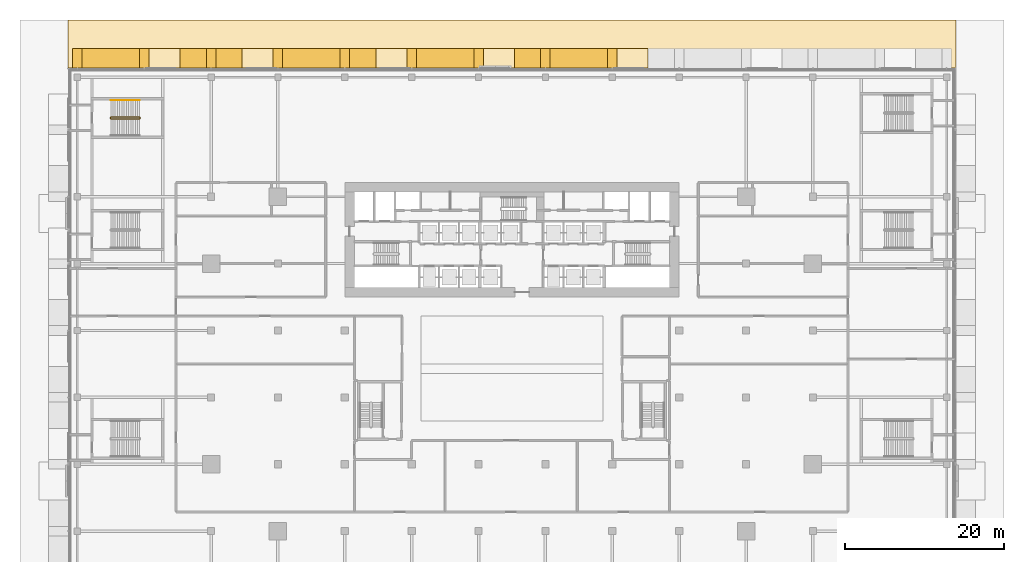
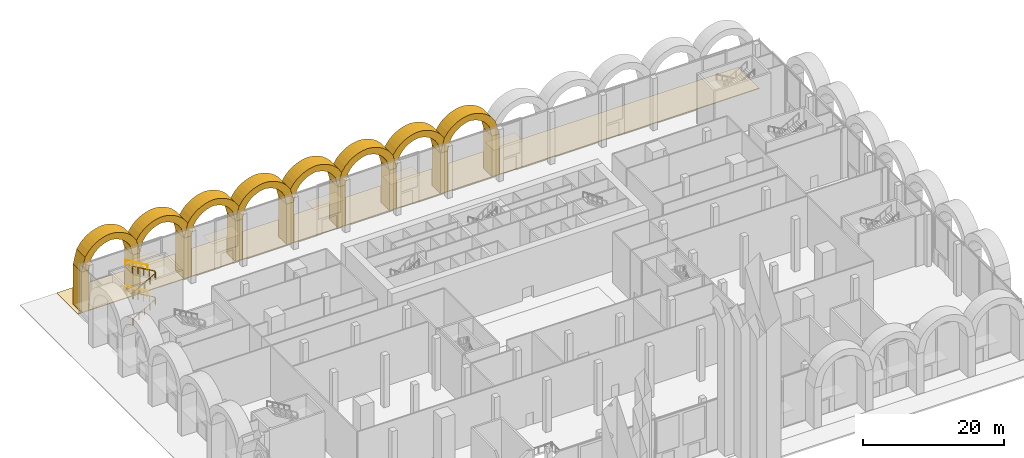
# One storey, part 41 of 43: 23 coverings, 3 railings.
"""IFC4 building model written with IfcOpenShell, lengths in metres."""

from ifc_helpers import new_model, si_unit, direction, frame, origin, origin_2d, place, context, subcontext, project, spatial, polyline, circle, outline, extrude, material, layer, layer_set, type_object, element, save


model = new_model("IFC4")

# Units and contexts
model_context = context("Model", 3, precision=1e-05, world=origin(), true_north=direction((0.0, 1.0)))
body_context = subcontext(model_context, "Body", "Model", "MODEL_VIEW")
ifc_project = project(units=[si_unit("LENGTHUNIT", "METRE"), si_unit("AREAUNIT", "SQUARE_METRE"), si_unit("VOLUMEUNIT", "CUBIC_METRE"), si_unit("PLANEANGLEUNIT", "RADIAN"), si_unit("MASSUNIT", "GRAM", prefix="KILO")], contexts=[model_context])

# Site, building, storey
site_placement = place(None, origin())
site = spatial("IfcSite", under=ifc_project, at=site_placement, CompositionType="ELEMENT")
building_placement = place(site_placement, origin())
building = spatial("IfcBuilding", under=site, at=building_placement, Name="Saffron Gate Tower", CompositionType="ELEMENT")
storey_placement = place(building_placement, origin())
storey = spatial("IfcBuildingStorey", under=building, at=storey_placement, Name="L00", CompositionType="ELEMENT", Elevation=0.0)

# Coverings
ifc_material_1 = material(Name="Cast stone cladding, pale limestone", Category="masonry")
ifc_layer_1 = layer(ifc_material_1, 1.199951171875)
ifc_layer_set_1 = layer_set([ifc_layer_1], Name="AR1 arcade pier")
covering_type_1 = type_object("IfcCoveringType", Name="AR1 arcade pier", PredefinedType="CLADDING", material=ifc_layer_set_1)
covering_1_placement = place(storey_placement, origin())
element("IfcCovering", 1, at=covering_1_placement, inside=storey, type_object=covering_type_1, Name="ARCADE PIER", PredefinedType="CLADDING", context=body_context, shape_type="SweptSolid", body=[
    extrude(outline(polyline([(100.800048828125, 90.0), (99.60009765625, 90.0), (99.60009765625, 92.39990234375), (100.800048828125, 92.39990234375), (100.800048828125, 90.0)])), origin(), (0.0, 0.0, 1.0), 7.0),
])
covering_2_placement = place(storey_placement, origin())
element("IfcCovering", 2, at=covering_2_placement, inside=storey, type_object=covering_type_1, Name="ARCADE PIER", PredefinedType="CLADDING", context=body_context, shape_type="SweptSolid", body=[
    extrude(outline(polyline([(92.39990234375, 90.0), (91.199951171875, 90.0), (91.199951171875, 92.39990234375), (92.39990234375, 92.39990234375), (92.39990234375, 90.0)])), origin(), (0.0, 0.0, 1.0), 7.0),
])
covering_3_placement = place(storey_placement, origin())
element("IfcCovering", 3, at=covering_3_placement, inside=storey, type_object=covering_type_1, Name="ARCADE PIER", PredefinedType="CLADDING", context=body_context, shape_type="SweptSolid", body=[
    extrude(outline(polyline([(84.0, 90.0), (82.800048828125, 90.0), (82.800048828125, 92.39990234375), (84.0, 92.39990234375), (84.0, 90.0)])), origin(), (0.0, 0.0, 1.0), 7.0),
])
covering_4_placement = place(storey_placement, origin())
element("IfcCovering", 4, at=covering_4_placement, inside=storey, type_object=covering_type_1, Name="ARCADE PIER", PredefinedType="CLADDING", context=body_context, shape_type="SweptSolid", body=[
    extrude(outline(polyline([(75.60009765625, 90.0), (74.39990234375, 90.0), (74.39990234375, 92.39990234375), (75.60009765625, 92.39990234375), (75.60009765625, 90.0)])), origin(), (0.0, 0.0, 1.0), 7.0),
])
covering_5_placement = place(storey_placement, origin())
element("IfcCovering", 5, at=covering_5_placement, inside=storey, type_object=covering_type_1, Name="ARCADE PIER", PredefinedType="CLADDING", context=body_context, shape_type="SweptSolid", body=[
    extrude(outline(polyline([(67.199951171875, 90.0), (66.0, 90.0), (66.0, 92.39990234375), (67.199951171875, 92.39990234375), (67.199951171875, 90.0)])), origin(), (0.0, 0.0, 1.0), 7.0),
])
covering_6_placement = place(storey_placement, origin())
element("IfcCovering", 6, at=covering_6_placement, inside=storey, type_object=covering_type_1, Name="ARCADE PIER", PredefinedType="CLADDING", context=body_context, shape_type="SweptSolid", body=[
    extrude(outline(polyline([(58.800048828125, 90.0), (57.60009765625, 90.0), (57.60009765625, 92.39990234375), (58.800048828125, 92.39990234375), (58.800048828125, 90.0)])), origin(), (0.0, 0.0, 1.0), 7.0),
])
covering_7_placement = place(storey_placement, origin())
element("IfcCovering", 7, at=covering_7_placement, inside=storey, type_object=covering_type_1, Name="ARCADE PIER", PredefinedType="CLADDING", context=body_context, shape_type="SweptSolid", body=[
    extrude(outline(polyline([(50.39990234375, 90.0), (49.199951171875, 90.0), (49.199951171875, 92.39990234375), (50.39990234375, 92.39990234375), (50.39990234375, 90.0)])), origin(), (0.0, 0.0, 1.0), 7.0),
])
covering_8_placement = place(storey_placement, origin())
element("IfcCovering", 8, at=covering_8_placement, inside=storey, type_object=covering_type_1, Name="ARCADE PIER", PredefinedType="CLADDING", context=body_context, shape_type="SweptSolid", body=[
    extrude(outline(polyline([(42.0, 90.0), (40.800048828125, 90.0), (40.800048828125, 92.39990234375), (42.0, 92.39990234375), (42.0, 90.0)])), origin(), (0.0, 0.0, 1.0), 7.0),
])
covering_9_placement = place(storey_placement, origin())
element("IfcCovering", 9, at=covering_9_placement, inside=storey, type_object=covering_type_1, Name="ARCADE PIER", PredefinedType="CLADDING", context=body_context, shape_type="SweptSolid", body=[
    extrude(outline(polyline([(33.60009765625, 90.0), (32.39990234375, 90.0), (32.39990234375, 92.39990234375), (33.60009765625, 92.39990234375), (33.60009765625, 90.0)])), origin(), (0.0, 0.0, 1.0), 7.0),
])
ifc_layer_2 = layer(ifc_material_1, 2.39990234375)
ifc_layer_set_2 = layer_set([ifc_layer_2], Name="AR2 arcade arch")
covering_type_2 = type_object("IfcCoveringType", Name="AR2 arcade arch", PredefinedType="CLADDING", material=ifc_layer_set_2)
covering_10_placement = place(storey_placement, frame((99.60009765625, 92.39990234375, 7.0), z_axis=(0.0, 1.0, 0.0), x_axis=(-0.239237346473, 0.0, 0.970961117683)))
element("IfcCovering", 10, at=covering_10_placement, inside=storey, type_object=covering_type_2, Name="ARCADE ARCH", PredefinedType="CLADDING", context=body_context, shape_type="SweptSolid", body=[
    extrude(outline(polyline([(0.0, 0.0), (1.8817936210051474, 0.0), (2.6470183695411396, -0.2748625343682679), (3.203401139395791, -0.6011821249482396), (3.6395990248106704, -0.9571143460609401), (3.990458530741687, -1.3340732870785366), (4.273105740640905, -1.7280906550741717), (4.496905881562616, -2.1363560457279465), (4.6673695353069125, -2.5577631363222815), (4.712196130366634, -3.010126231221047), (4.703686238248943, -3.4756310260603724), (4.636446092264326, -3.9558579456660814), (4.500876835137328, -4.452669190141585), (4.279969198526468, -4.970507154521985), (3.9388766774758355, -5.517957749435114), (3.388942177743862, -6.116865400559946), (1.7225556206533161, -6.9911096881612895), (2.0096287549104384, -8.156215619170132), (4.1730438427179735, -7.00512180004296), (4.879364508393852, -6.2132962743460105), (5.31112164584135, -5.488869646622356), (5.58452867913546, -4.80345926583334), (5.743972562952254, -4.1463799701936), (5.812093383376849, -3.5115505322869174), (5.800623457171799, -2.896583084012261), (5.716083398741931, -2.2993681117132256), (5.513491915359386, -1.7312401019492978), (5.237947114862605, -1.1813386702692357), (4.882694752625596, -0.6508251261129545), (4.436236142106971, -0.14303554179797584), (3.875697567000447, 0.3368970594759718), (3.1568088877405365, 0.7778134138152791), (2.163473495362826, 1.150856768073049), (-0.2870731342571223, 1.165105931008841), (0.0, 0.0)])), origin(), (0.0, 0.0, -1.0), 2.39990234375),
])
covering_11_placement = place(storey_placement, frame((91.199951171875, 92.39990234375, 7.0), z_axis=(0.0, 1.0, 0.0), x_axis=(-0.239115028028, 0.0, 0.970991247835)))
element("IfcCovering", 11, at=covering_11_placement, inside=storey, type_object=covering_type_2, Name="ARCADE ARCH", PredefinedType="CLADDING", context=body_context, shape_type="SweptSolid", body=[
    extrude(outline(polyline([(0.0, 0.0), (1.881735228381075, 0.0), (2.646925345116447, -0.2749589311548678), (3.203267002539746, -0.6013486093049456), (3.6394784237266933, -0.9575728359066504), (3.990290439579541, -1.334575973358484), (4.272829633319021, -1.7283918862185135), (4.4965783413497675, -2.136685466791156), (4.666988907104446, -2.558114028151451), (4.7118168931901065, -3.0107198248883336), (4.70324835930731, -3.4762235440027536), (4.63588933971578, -3.956204930829786), (4.500257498010882, -4.452999093065014), (4.279284628664273, -4.970809224560487), (3.9381815230813135, -5.518453904507588), (3.3881715804938914, -6.117292273039781), (1.721616526260766, -6.991089572726843), (2.0085428843554953, -8.156231658446298), (4.17216134140188, -7.005647442456348), (4.878523373773681, -6.213673843174959), (5.310371767231315, -5.489301611680691), (5.5839235204239435, -4.804162737112771), (5.743391800658454, -4.146866474174116), (5.8116509706907475, -3.512282681215563), (5.800200137231722, -2.897076734489788), (5.715735313457013, -2.29985111702), (5.513273779136993, -1.7319346487703329), (5.237739876808899, -1.1817614513665375), (4.882612726374266, -0.6514402170157529), (4.436159710352636, -0.14335733582483634), (3.8756815990652784, 0.3366458753266979), (3.1569068475129147, 0.7774157295518843), (2.1635600793539953, 1.1508212744000663), (-0.2869263580947294, 1.1651420857194545), (0.0, 0.0)])), origin(), (0.0, 0.0, -1.0), 2.39990234375),
])
covering_12_placement = place(storey_placement, frame((82.800048828125, 92.39990234375, 7.0), z_axis=(0.0, 1.0, 0.0), x_axis=(-0.239115028028, 0.0, 0.970991247835)))
element("IfcCovering", 12, at=covering_12_placement, inside=storey, type_object=covering_type_2, Name="ARCADE ARCH", PredefinedType="CLADDING", context=body_context, shape_type="SweptSolid", body=[
    extrude(outline(polyline([(0.0, 0.0), (1.881735228381075, 0.0), (2.6469837228088364, -0.2751959895649837), (3.203325380232136, -0.6015856677150615), (3.6394784237266933, -0.9575728359066504), (3.990290439579541, -1.334575973358484), (4.272829633319021, -1.7283918862185135), (4.496636719042157, -2.1369225252012716), (4.667047284796835, -2.5583510865615673), (4.7118168931901065, -3.0107198248883336), (4.70324835930731, -3.4762235440027536), (4.63588933971578, -3.956204930829786), (4.50031587570327, -4.45323615147513), (4.2793430063566635, -4.971046282970603), (3.9381815230813135, -5.518453904507588), (3.3881715804938914, -6.117292273039781), (1.721616526260766, -6.991089572726843), (2.008601262047885, -8.156468716856415), (4.17216134140188, -7.005647442456348), (4.878523373773681, -6.213673843174959), (5.310430144923704, -5.489538670090807), (5.5839235204239435, -4.804162737112771), (5.743450178350844, -4.147103532584232), (5.8116509706907475, -3.512282681215563), (5.800200137231722, -2.897076734489788), (5.715793691149402, -2.300088175430116), (5.513273779136993, -1.7319346487703329), (5.237798254501289, -1.1819985097766537), (4.882612726374266, -0.6514402170157529), (4.436159710352636, -0.14335733582483634), (3.875739976757668, 0.336408816916582), (3.1569068475129147, 0.7774157295518843), (2.163618457046385, 1.1505842159899504), (-0.2869263580947294, 1.1651420857194545), (0.0, 0.0)])), origin(), (0.0, 0.0, -1.0), 2.39990234375),
])
covering_13_placement = place(storey_placement, frame((74.39990234375, 92.39990234375, 7.0), z_axis=(0.0, 1.0, 0.0), x_axis=(-0.239115028028, 0.0, 0.970991247835)))
element("IfcCovering", 13, at=covering_13_placement, inside=storey, type_object=covering_type_2, Name="ARCADE ARCH", PredefinedType="CLADDING", context=body_context, shape_type="SweptSolid", body=[
    extrude(outline(polyline([(0.0, 0.0), (1.881735228381075, 0.0), (2.646925345116447, -0.2749589311548678), (3.203267002539746, -0.6013486093049456), (3.639420046034304, -0.9573357774965345), (3.990290439579541, -1.334575973358484), (4.272829633319021, -1.7283918862185135), (4.4965783413497675, -2.136685466791156), (4.666988907104446, -2.558114028151451), (4.711758515497717, -3.010482766478218), (4.70324835930731, -3.4762235440027536), (4.63588933971578, -3.956204930829786), (4.500257498010882, -4.452999093065014), (4.279284628664273, -4.970809224560487), (3.938123145388924, -5.518216846097472), (3.3881715804938914, -6.117292273039781), (1.721616526260766, -6.991089572726843), (2.0085428843554953, -8.156231658446298), (4.172102963709491, -7.005410384046232), (4.878523373773681, -6.213673843174959), (5.310371767231315, -5.489301611680691), (5.5839235204239435, -4.804162737112771), (5.743391800658454, -4.146866474174116), (5.811592592998358, -3.512045622805447), (5.800200137231722, -2.897076734489788), (5.715735313457013, -2.29985111702), (5.513273779136993, -1.7319346487703329), (5.237739876808899, -1.1817614513665375), (4.882554348681876, -0.651203158605637), (4.436159710352636, -0.14335733582483634), (3.8756815990652784, 0.3366458753266979), (3.1569068475129147, 0.7774157295518843), (2.1635600793539953, 1.1508212744000663), (-0.28698473578711897, 1.1653791441295704), (0.0, 0.0)])), origin(), (0.0, 0.0, -1.0), 2.39990234375),
])
covering_14_placement = place(storey_placement, frame((66.0, 92.39990234375, 7.0), z_axis=(0.0, 1.0, 0.0), x_axis=(-0.239115028028, 0.0, 0.970991247835)))
element("IfcCovering", 14, at=covering_14_placement, inside=storey, type_object=covering_type_2, Name="ARCADE ARCH", PredefinedType="CLADDING", context=body_context, shape_type="SweptSolid", body=[
    extrude(outline(polyline([(0.0, 0.0), (1.881735228381075, 0.0), (2.646925345116447, -0.2749589311548678), (3.203325380232136, -0.6015856677150615), (3.6394784237266933, -0.9575728359066504), (3.990290439579541, -1.334575973358484), (4.272829633319021, -1.7283918862185135), (4.4965783413497675, -2.136685466791156), (4.667047284796835, -2.5583510865615673), (4.7118168931901065, -3.0107198248883336), (4.70324835930731, -3.4762235440027536), (4.63588933971578, -3.956204930829786), (4.500257498010882, -4.452999093065014), (4.2793430063566635, -4.971046282970603), (3.9381815230813135, -5.518453904507588), (3.3881715804938914, -6.117292273039781), (1.721616526260766, -6.991089572726843), (2.0085428843554953, -8.156231658446298), (4.17216134140188, -7.005647442456348), (4.878523373773681, -6.213673843174959), (5.310430144923704, -5.489538670090807), (5.5839235204239435, -4.804162737112771), (5.743391800658454, -4.146866474174116), (5.8116509706907475, -3.512282681215563), (5.800200137231722, -2.897076734489788), (5.715793691149402, -2.300088175430116), (5.513273779136993, -1.7319346487703329), (5.237739876808899, -1.1817614513665375), (4.882612726374266, -0.6514402170157529), (4.436159710352636, -0.14335733582483634), (3.875739976757668, 0.336408816916582), (3.1569068475129147, 0.7774157295518843), (2.1635600793539953, 1.1508212744000663), (-0.2869263580947294, 1.1651420857194545), (0.0, 0.0)])), origin(), (0.0, 0.0, -1.0), 2.39990234375),
])
covering_15_placement = place(storey_placement, frame((57.60009765625, 92.39990234375, 7.0), z_axis=(0.0, 1.0, 0.0), x_axis=(-0.239237346473, 0.0, 0.970961117683)))
element("IfcCovering", 15, at=covering_15_placement, inside=storey, type_object=covering_type_2, Name="ARCADE ARCH", PredefinedType="CLADDING", context=body_context, shape_type="SweptSolid", body=[
    extrude(outline(polyline([(0.0, 0.0), (1.8817936210051474, 0.0), (2.6470183695411396, -0.2748625343682679), (3.203401139395791, -0.6011821249482396), (3.6395990248106704, -0.9571143460609401), (3.990458530741687, -1.3340732870785366), (4.273105740640905, -1.7280906550741717), (4.496905881562616, -2.1363560457279465), (4.6673695353069125, -2.5577631363222815), (4.712196130366634, -3.010126231221047), (4.703686238248943, -3.4756310260603724), (4.636446092264326, -3.9558579456660814), (4.500876835137328, -4.452669190141585), (4.279969198526468, -4.970507154521985), (3.9388766774758355, -5.517957749435114), (3.388942177743862, -6.116865400559946), (1.7225556206533161, -6.9911096881612895), (2.0096287549104384, -8.156215619170132), (4.1730438427179735, -7.00512180004296), (4.879364508393852, -6.2132962743460105), (5.31112164584135, -5.488869646622356), (5.58452867913546, -4.80345926583334), (5.743972562952254, -4.1463799701936), (5.812093383376849, -3.5115505322869174), (5.800623457171799, -2.896583084012261), (5.716083398741931, -2.2993681117132256), (5.513491915359386, -1.7312401019492978), (5.237947114862605, -1.1813386702692357), (4.882694752625596, -0.6508251261129545), (4.436236142106971, -0.14303554179797584), (3.875697567000447, 0.3368970594759718), (3.1568088877405365, 0.7778134138152791), (2.163473495362826, 1.150856768073049), (-0.2870731342571223, 1.165105931008841), (0.0, 0.0)])), origin(), (0.0, 0.0, -1.0), 2.39990234375),
])
covering_16_placement = place(storey_placement, frame((49.199951171875, 92.39990234375, 7.0), z_axis=(0.0, 1.0, 0.0), x_axis=(-0.239115028028, 0.0, 0.970991247835)))
element("IfcCovering", 16, at=covering_16_placement, inside=storey, type_object=covering_type_2, Name="ARCADE ARCH", PredefinedType="CLADDING", context=body_context, shape_type="SweptSolid", body=[
    extrude(outline(polyline([(0.0, 0.0), (1.881735228381075, 0.0), (2.646925345116447, -0.2749589311548678), (3.203267002539746, -0.6013486093049456), (3.6394784237266933, -0.9575728359066504), (3.990290439579541, -1.334575973358484), (4.272829633319021, -1.7283918862185135), (4.4965783413497675, -2.136685466791156), (4.666988907104446, -2.558114028151451), (4.7118168931901065, -3.0107198248883336), (4.70324835930731, -3.4762235440027536), (4.63588933971578, -3.956204930829786), (4.500257498010882, -4.452999093065014), (4.279284628664273, -4.970809224560487), (3.9381815230813135, -5.518453904507588), (3.3881715804938914, -6.117292273039781), (1.721616526260766, -6.991089572726843), (2.0085428843554953, -8.156231658446298), (4.17216134140188, -7.005647442456348), (4.878523373773681, -6.213673843174959), (5.310371767231315, -5.489301611680691), (5.5839235204239435, -4.804162737112771), (5.743391800658454, -4.146866474174116), (5.8116509706907475, -3.512282681215563), (5.800200137231722, -2.897076734489788), (5.715735313457013, -2.29985111702), (5.513273779136993, -1.7319346487703329), (5.237739876808899, -1.1817614513665375), (4.882612726374266, -0.6514402170157529), (4.436159710352636, -0.14335733582483634), (3.8756815990652784, 0.3366458753266979), (3.1569068475129147, 0.7774157295518843), (2.1635600793539953, 1.1508212744000663), (-0.2869263580947294, 1.1651420857194545), (0.0, 0.0)])), origin(), (0.0, 0.0, -1.0), 2.39990234375),
])
covering_17_placement = place(storey_placement, frame((40.800048828125, 92.39990234375, 7.0), z_axis=(0.0, 1.0, 0.0), x_axis=(-0.239115028028, 0.0, 0.970991247835)))
element("IfcCovering", 17, at=covering_17_placement, inside=storey, type_object=covering_type_2, Name="ARCADE ARCH", PredefinedType="CLADDING", context=body_context, shape_type="SweptSolid", body=[
    extrude(outline(polyline([(0.0, 0.0), (1.881735228381075, 0.0), (2.6469837228088364, -0.2751959895649837), (3.203325380232136, -0.6015856677150615), (3.6394784237266933, -0.9575728359066504), (3.990290439579541, -1.334575973358484), (4.272829633319021, -1.7283918862185135), (4.496636719042157, -2.1369225252012716), (4.667047284796835, -2.5583510865615673), (4.7118168931901065, -3.0107198248883336), (4.70324835930731, -3.4762235440027536), (4.63588933971578, -3.956204930829786), (4.50031587570327, -4.45323615147513), (4.2793430063566635, -4.971046282970603), (3.9381815230813135, -5.518453904507588), (3.3881715804938914, -6.117292273039781), (1.721616526260766, -6.991089572726843), (2.008601262047885, -8.156468716856415), (4.17216134140188, -7.005647442456348), (4.878523373773681, -6.213673843174959), (5.310430144923704, -5.489538670090807), (5.5839235204239435, -4.804162737112771), (5.743450178350844, -4.147103532584232), (5.8116509706907475, -3.512282681215563), (5.800200137231722, -2.897076734489788), (5.715793691149402, -2.300088175430116), (5.513273779136993, -1.7319346487703329), (5.237798254501289, -1.1819985097766537), (4.882612726374266, -0.6514402170157529), (4.436159710352636, -0.14335733582483634), (3.875739976757668, 0.336408816916582), (3.1569068475129147, 0.7774157295518843), (2.163618457046385, 1.1505842159899504), (-0.2869263580947294, 1.1651420857194545), (0.0, 0.0)])), origin(), (0.0, 0.0, -1.0), 2.39990234375),
])
ifc_material_2 = material(Name="Bronze-anodised aluminium soffit panels", Category="aluminium")
ifc_layer_3 = layer(ifc_material_2, 0.030029296875)
ifc_layer_set_3 = layer_set([ifc_layer_3], Name="CE1 canopy soffit lining")
covering_type_3 = type_object("IfcCoveringType", Name="CE1 canopy soffit lining", PredefinedType="CEILING", material=ifc_layer_set_3)
covering_18_placement = place(storey_placement, frame((0.0, 0.0, 4.3701171875)))
element("IfcCovering", 18, at=covering_18_placement, inside=storey, type_object=covering_type_3, Name="ENTRANCE CANOPY soffit lining", PredefinedType="CEILING", context=body_context, shape_type="SweptSolid", body=[
    extrude(outline(polyline([(87.89990234375, 90.0), (83.10009765625, 90.0), (83.10009765625, 92.39990234375), (87.89990234375, 92.39990234375), (87.89990234375, 90.0)])), origin(), (0.0, 0.0, 1.0), 0.02978515625),
])
covering_19_placement = place(storey_placement, frame((0.0, 0.0, 4.3701171875)))
element("IfcCovering", 19, at=covering_19_placement, inside=storey, type_object=covering_type_3, Name="ENTRANCE CANOPY soffit lining", PredefinedType="CEILING", context=body_context, shape_type="SweptSolid", body=[
    extrude(outline(polyline([(58.5, 90.0), (53.699951171875, 90.0), (53.699951171875, 92.39990234375), (58.5, 92.39990234375), (58.5, 90.0)])), origin(), (0.0, 0.0, 1.0), 0.02978515625),
])
covering_20_placement = place(storey_placement, frame((0.0, 0.0, 4.3701171875)))
element("IfcCovering", 20, at=covering_20_placement, inside=storey, type_object=covering_type_3, Name="ENTRANCE CANOPY soffit lining", PredefinedType="CEILING", context=body_context, shape_type="SweptSolid", body=[
    extrude(outline(polyline([(75.300048828125, 90.0), (70.5, 90.0), (70.5, 92.39990234375), (75.300048828125, 92.39990234375), (75.300048828125, 90.0)])), origin(), (0.0, 0.0, 1.0), 0.02978515625),
])
covering_21_placement = place(storey_placement, frame((0.0, 0.0, 4.3701171875)))
element("IfcCovering", 21, at=covering_21_placement, inside=storey, type_object=covering_type_3, Name="ENTRANCE CANOPY soffit lining", PredefinedType="CEILING", context=body_context, shape_type="SweptSolid", body=[
    extrude(outline(polyline([(104.699951171875, 90.0), (99.89990234375, 90.0), (99.89990234375, 92.39990234375), (104.699951171875, 92.39990234375), (104.699951171875, 90.0)])), origin(), (0.0, 0.0, 1.0), 0.02978515625),
])
covering_22_placement = place(storey_placement, frame((0.0, 0.0, 4.3701171875)))
element("IfcCovering", 22, at=covering_22_placement, inside=storey, type_object=covering_type_3, Name="ENTRANCE CANOPY soffit lining", PredefinedType="CEILING", context=body_context, shape_type="SweptSolid", body=[
    extrude(outline(polyline([(45.89990234375, 90.0), (41.10009765625, 90.0), (41.10009765625, 92.39990234375), (45.89990234375, 92.39990234375), (45.89990234375, 90.0)])), origin(), (0.0, 0.0, 1.0), 0.02978515625),
])

# Railings
ifc_material_3 = material(Name="Stainless steel and laminated glass", Category="steel")
railing_type_1 = type_object("IfcRailingType", Name="CR1 Stair guard 1100", PredefinedType="GUARDRAIL", material=ifc_material_3)
railing_placement = place(storey_placement, frame((37.14990234375, 83.77490234375, 0.0)))
element("IfcRailing", 23, at=railing_placement, inside=storey, type_object=railing_type_1, Name="L00 ST-F stair guard 1", PredefinedType="GUARDRAIL", context=body_context, shape_type="SweptSolid", body=[
    extrude(circle(Radius=0.02392578125, at=origin_2d()), frame((0.0, 0.0, 1.076171875), z_axis=(0.0, -1.0, 0.0), x_axis=(1.0, 0.0, 0.0)), (0.0, 0.0, 1.0), 0.14990234375),
    extrude(circle(Radius=0.02392578125, at=origin_2d()), frame((0.0, -0.14990234375, 1.076171875), z_axis=(0.285103605394, -0.285103605394, 0.91511303585), x_axis=(0.707106781187, 0.707106781187, 0.0)), (0.0, 0.0, 1.0), 0.175537109375),
    extrude(circle(Radius=0.02392578125, at=origin_2d()), frame((0.050048828125, -0.199951171875, 1.23681640625), z_axis=(0.867289372828, 0.0, 0.497804322781), x_axis=(0.0, 1.0, 0.0)), (0.0, 0.0, 1.0), 4.197021484375),
    extrude(circle(Radius=0.02392578125, at=origin_2d()), frame((3.690185546875, -0.199951171875, 3.326171875), z_axis=(0.705375805398, 0.708833529934, 0.0), x_axis=(-0.708833529934, 0.705375805398, 0.0)), (0.0, 0.0, 1.0), 0.070556640625),
    extrude(circle(Radius=0.02392578125, at=origin_2d()), frame((3.739990234375, -0.14990234375, 3.326171875), z_axis=(0.0, 1.0, 0.0), x_axis=(-1.0, 0.0, 0.0)), (0.0, 0.0, 1.0), 0.14990234375),
    extrude(circle(Radius=0.02392578125, at=origin_2d()), frame((3.739990234375, 0.0, 3.326171875), z_axis=(-0.283825142663, 0.285216442382, 0.915475215059), x_axis=(-0.708833529934, -0.705375805398, 0.0)), (0.0, 0.0, 1.0), 0.175537109375),
    extrude(circle(Radius=0.02392578125, at=origin_2d()), frame((3.690185546875, 0.050048828125, 3.48681640625), z_axis=(-0.867289372828, 0.0, 0.497804322781), x_axis=(0.0, -1.0, 0.0)), (0.0, 0.0, 1.0), 4.197021484375),
    extrude(circle(Radius=0.02392578125, at=origin_2d()), frame((0.050048828125, 0.050048828125, 5.576171875), z_axis=(-0.707106781187, -0.707106781187, 0.0), x_axis=(0.707106781187, -0.707106781187, 0.0)), (0.0, 0.0, 1.0), 0.07080078125),
    extrude(circle(Radius=0.02392578125, at=origin_2d()), frame((0.0, 0.0, 5.576171875), z_axis=(0.0, -1.0, 0.0), x_axis=(1.0, 0.0, 0.0)), (0.0, 0.0, 1.0), 0.14990234375),
    extrude(circle(Radius=0.02392578125, at=origin_2d()), frame((0.0, -0.14990234375, 5.576171875), z_axis=(0.285103605394, -0.285103605394, 0.91511303585), x_axis=(0.707106781187, 0.707106781187, 0.0)), (0.0, 0.0, 1.0), 0.175537109375),
    extrude(circle(Radius=0.02392578125, at=origin_2d()), frame((0.050048828125, -0.199951171875, 5.73681640625), z_axis=(0.867289372828, 0.0, 0.497804322781), x_axis=(0.0, 1.0, 0.0)), (0.0, 0.0, 1.0), 4.197021484375),
    extrude(circle(Radius=0.02392578125, at=origin_2d()), frame((3.690185546875, -0.199951171875, 7.826171875), z_axis=(0.705375805398, 0.708833529934, 0.0), x_axis=(-0.708833529934, 0.705375805398, 0.0)), (0.0, 0.0, 1.0), 0.070556640625),
    extrude(circle(Radius=0.02392578125, at=origin_2d()), frame((3.739990234375, -0.14990234375, 7.826171875), z_axis=(0.0, 1.0, 0.0), x_axis=(-1.0, 0.0, 0.0)), (0.0, 0.0, 1.0), 0.14990234375),
    extrude(circle(Radius=0.02392578125, at=origin_2d()), frame((3.739990234375, 0.0, 7.826171875), z_axis=(-0.283825142663, 0.285216442382, 0.915475215059), x_axis=(-0.708833529934, -0.705375805398, 0.0)), (0.0, 0.0, 1.0), 0.175537109375),
    extrude(circle(Radius=0.02392578125, at=origin_2d()), frame((3.690185546875, 0.050048828125, 7.98681640625), z_axis=(-0.867289372828, 0.0, 0.497804322781), x_axis=(0.0, -1.0, 0.0)), (0.0, 0.0, 1.0), 4.197021484375),
    extrude(circle(Radius=0.02099609375, at=origin_2d()), origin(), (0.0, 0.0, 1.0), 1.052001953125),
    extrude(circle(Radius=0.02099609375, at=origin_2d()), frame((0.0, -0.14990234375, 0.0)), (0.0, 0.0, 1.0), 1.052001953125),
    extrude(circle(Radius=0.02099609375, at=origin_2d()), frame((0.050048828125, -0.199951171875, 0.16064453125)), (0.0, 0.0, 1.0), 1.052001953125),
    extrude(circle(Radius=0.02099609375, at=origin_2d()), frame((0.9599609375, -0.199951171875, 0.68310546875)), (0.0, 0.0, 1.0), 1.052001953125),
    extrude(circle(Radius=0.02099609375, at=origin_2d()), frame((1.8701171875, -0.199951171875, 1.205322265625)), (0.0, 0.0, 1.0), 1.052001953125),
    extrude(circle(Radius=0.02099609375, at=origin_2d()), frame((2.7802734375, -0.199951171875, 1.7275390625)), (0.0, 0.0, 1.0), 1.052001953125),
    extrude(circle(Radius=0.02099609375, at=origin_2d()), frame((3.690185546875, -0.199951171875, 2.25)), (0.0, 0.0, 1.0), 1.052001953125),
    extrude(circle(Radius=0.02099609375, at=origin_2d()), frame((3.739990234375, -0.14990234375, 2.25)), (0.0, 0.0, 1.0), 1.052001953125),
    extrude(circle(Radius=0.02099609375, at=origin_2d()), frame((3.739990234375, 0.0, 2.25)), (0.0, 0.0, 1.0), 1.052001953125),
    extrude(circle(Radius=0.02099609375, at=origin_2d()), frame((3.690185546875, 0.050048828125, 2.41064453125)), (0.0, 0.0, 1.0), 1.052001953125),
    extrude(circle(Radius=0.02099609375, at=origin_2d()), frame((2.7802734375, 0.050048828125, 2.93310546875)), (0.0, 0.0, 1.0), 1.052001953125),
    extrude(circle(Radius=0.02099609375, at=origin_2d()), frame((1.8701171875, 0.050048828125, 3.455322265625)), (0.0, 0.0, 1.0), 1.052001953125),
    extrude(circle(Radius=0.02099609375, at=origin_2d()), frame((0.9599609375, 0.050048828125, 3.9775390625)), (0.0, 0.0, 1.0), 1.052001953125),
    extrude(circle(Radius=0.02099609375, at=origin_2d()), frame((0.050048828125, 0.050048828125, 4.5)), (0.0, 0.0, 1.0), 1.052001953125),
    extrude(circle(Radius=0.02099609375, at=origin_2d()), frame((0.0, 0.0, 4.5)), (0.0, 0.0, 1.0), 1.052001953125),
    extrude(circle(Radius=0.02099609375, at=origin_2d()), frame((0.0, -0.14990234375, 4.5)), (0.0, 0.0, 1.0), 1.052001953125),
    extrude(circle(Radius=0.02099609375, at=origin_2d()), frame((0.050048828125, -0.199951171875, 4.66064453125)), (0.0, 0.0, 1.0), 1.052001953125),
    extrude(circle(Radius=0.02099609375, at=origin_2d()), frame((0.9599609375, -0.199951171875, 5.18310546875)), (0.0, 0.0, 1.0), 1.052001953125),
    extrude(circle(Radius=0.02099609375, at=origin_2d()), frame((1.8701171875, -0.199951171875, 5.705322265625)), (0.0, 0.0, 1.0), 1.052001953125),
    extrude(circle(Radius=0.02099609375, at=origin_2d()), frame((2.7802734375, -0.199951171875, 6.2275390625)), (0.0, 0.0, 1.0), 1.052001953125),
    extrude(circle(Radius=0.02099609375, at=origin_2d()), frame((3.690185546875, -0.199951171875, 6.75)), (0.0, 0.0, 1.0), 1.052001953125),
    extrude(circle(Radius=0.02099609375, at=origin_2d()), frame((3.739990234375, -0.14990234375, 6.75)), (0.0, 0.0, 1.0), 1.052001953125),
    extrude(circle(Radius=0.02099609375, at=origin_2d()), frame((3.739990234375, 0.0, 6.75)), (0.0, 0.0, 1.0), 1.052001953125),
    extrude(circle(Radius=0.02099609375, at=origin_2d()), frame((3.690185546875, 0.050048828125, 6.91064453125)), (0.0, 0.0, 1.0), 1.052001953125),
    extrude(circle(Radius=0.02099609375, at=origin_2d()), frame((2.7802734375, 0.050048828125, 7.43310546875)), (0.0, 0.0, 1.0), 1.052001953125),
    extrude(circle(Radius=0.02099609375, at=origin_2d()), frame((1.8701171875, 0.050048828125, 7.955322265625)), (0.0, 0.0, 1.0), 1.052001953125),
    extrude(circle(Radius=0.02099609375, at=origin_2d()), frame((0.9599609375, 0.050048828125, 8.4775390625)), (0.0, 0.0, 1.0), 1.052001953125),
    extrude(circle(Radius=0.02099609375, at=origin_2d()), frame((0.050048828125, 0.050048828125, 9.0)), (0.0, 0.0, 1.0), 1.052001953125),
])
ifc_material_4 = material(Name="Stainless steel", Category="steel")
railing_type_2 = type_object("IfcRailingType", Name="CR2 Stair handrail 900", PredefinedType="HANDRAIL", material=ifc_material_4)
for number, where, name in (
    (24, (40.840087890625, 85.925048828125, 2.41064453125), "L00 ST-F stair handrail 2"),
    (25, (40.840087890625, 85.925048828125, 6.91064453125), "L00 ST-F stair handrail 4"),
):
    element("IfcRailing", number, at=place(storey_placement, frame(where)), inside=storey, type_object=railing_type_2, Name=name, PredefinedType="HANDRAIL", context=body_context, shape_type="SweptSolid", body=[
        extrude(circle(Radius=0.02392578125, at=origin_2d()), frame((0.0, 0.0, 0.8759765625), z_axis=(-0.867289372828, 0.0, 0.497804322781), x_axis=(0.0, -1.0, 0.0)), (0.0, 0.0, 1.0), 4.197021484375),
        extrude(circle(Radius=0.02099609375, at=origin_2d()), origin(), (0.0, 0.0, 1.0), 0.851806640625),
        extrude(circle(Radius=0.02099609375, at=origin_2d()), frame((-0.91015625, 0.0, 0.5224609375)), (0.0, 0.0, 1.0), 0.851806640625),
        extrude(circle(Radius=0.02099609375, at=origin_2d()), frame((-1.820068359375, 0.0, 1.044677734375)), (0.0, 0.0, 1.0), 0.851806640625),
        extrude(circle(Radius=0.02099609375, at=origin_2d()), frame((-2.72998046875, 0.0, 1.56689453125)), (0.0, 0.0, 1.0), 0.851806640625),
        extrude(circle(Radius=0.02099609375, at=origin_2d()), frame((-3.64013671875, 0.0, 2.08935546875)), (0.0, 0.0, 1.0), 0.851806640625),
    ])

# Covering
ifc_material_5 = material(Name="Granite setts on compacted base", Category="masonry")
ifc_layer_4 = layer(ifc_material_5, 0.1201171875)
ifc_layer_set_4 = layer_set([ifc_layer_4], Name="PV4 yard setts")
covering_type_4 = type_object("IfcCoveringType", Name="PV4 yard setts", PredefinedType="FLOORING", material=ifc_layer_set_4)
covering_23_placement = place(storey_placement, frame((0.0, 0.0, -0.1201171875)))
element("IfcCovering", 26, at=covering_23_placement, inside=storey, type_object=covering_type_4, Name="PAVING service yard", PredefinedType="FLOORING", context=body_context, shape_type="SweptSolid", body=[
    extrude(outline(polyline([(143.39990234375, 90.0), (143.39990234375, 96.0), (31.800048828125, 96.0), (31.800048828125, 90.0), (143.39990234375, 90.0)])), origin(), (0.0, 0.0, 1.0), 0.1201171875),
])

save(model, "model.ifc")
